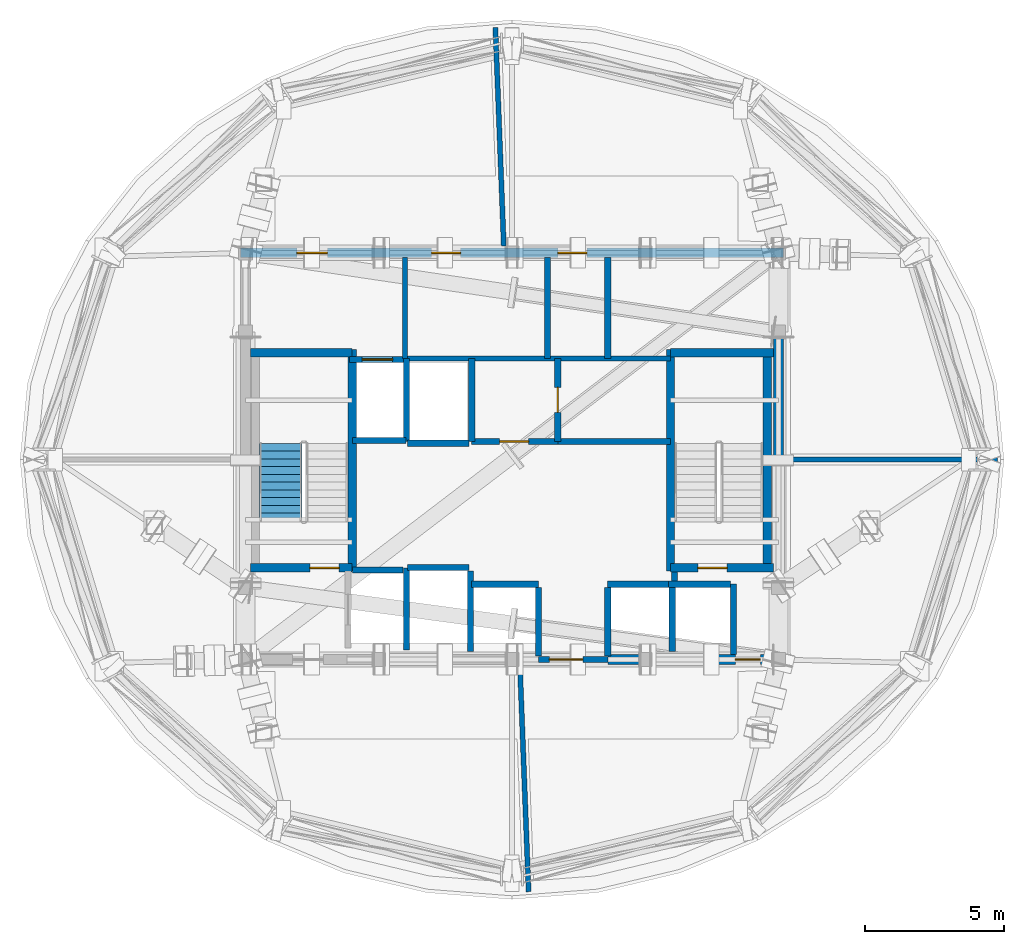
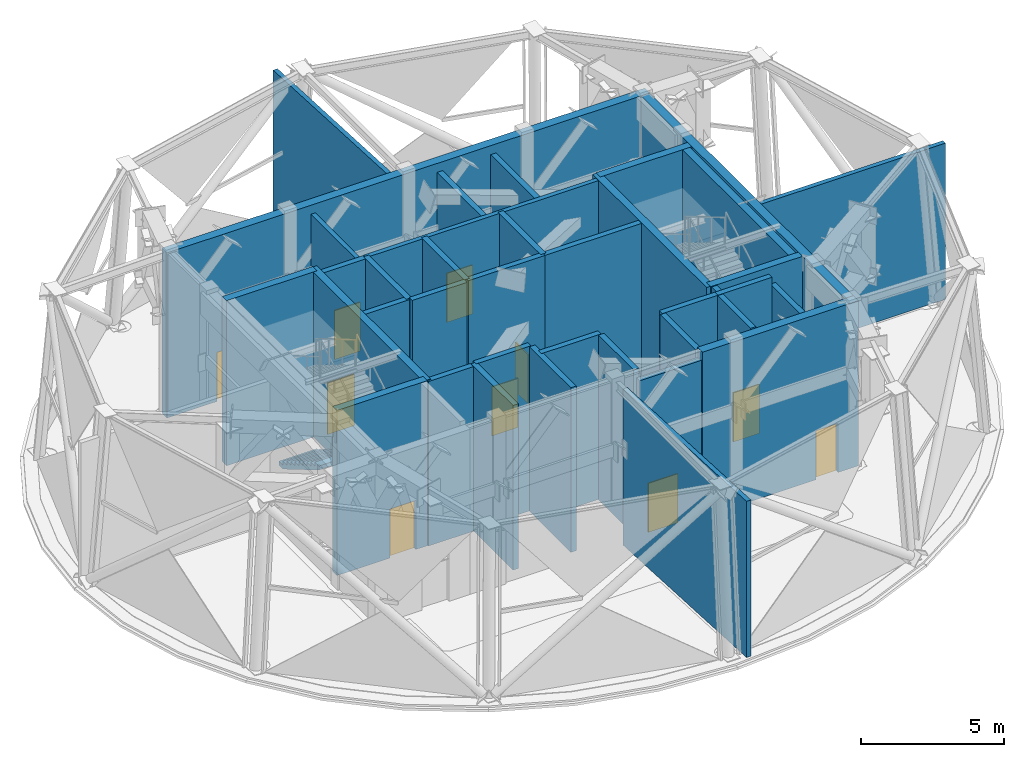
# One storey, part 8 of 12: 38 walls, 10 doors, 1 stair flight, 10 openings, 1 element without a shape of its own.
"""IFC4 building model written with IfcOpenShell, lengths in metres."""

import ifcopenshell
import ifcopenshell.guid

model = None  # the IFC model being written
_history = None  # IfcOwnerHistory: only IFC2X3 demands one
_inside = {}  # id of a spatial element -> (the spatial element, [elements in it])
_under = {}  # id of a project, library or spatial element -> (it, [spatial elements below it])
_declared = {}  # id of a project -> (the project, [libraries it declares])
_typed = {}  # id of a type object -> (the type object, [elements of that type])
_made_of = {}  # id of a material, layer set ... -> (it, [elements and type objects made of it])


def new_model(schema):
    """Start an empty IFC model of exactly this schema.

    Asked for "IFC4X3", IfcOpenShell would pick the latest addendum, in which some entities
    have other attributes; the version numbers below select the first issue.
    IFC2X3 requires an IfcOwnerHistory on every rooted entity: one is made here for all.
    """
    global model, _history
    if schema == "IFC4X3":
        model = ifcopenshell.file(schema_version=(4, 3, 0, 0))
    else:
        model = ifcopenshell.file(schema=schema)
    _inside.clear()
    _under.clear()
    _declared.clear()
    _typed.clear()
    _made_of.clear()
    _history = None
    if model.schema == "IFC2X3":
        org = make("IfcOrganization", Name="unknown")
        user = make(
            "IfcPersonAndOrganization",
            ThePerson=make("IfcPerson", FamilyName="unknown"),
            TheOrganization=org,
        )
        app = make(
            "IfcApplication",
            ApplicationDeveloper=org,
            Version="unknown",
            ApplicationFullName="unknown",
            ApplicationIdentifier="unknown",
        )
        _history = make(
            "IfcOwnerHistory",
            OwningUser=user,
            OwningApplication=app,
            ChangeAction="ADDED",
            CreationDate=0,
        )
    return model


def make(cls, **values):
    """One entity of the class cls with the attributes given. An attribute that is None is left unset."""
    return model.create_entity(
        cls, **{name: value for name, value in values.items() if value is not None}
    )


def rooted(cls, **values):
    """An entity with a GlobalId (a new one), such as an element, a storey or a relation."""
    return make(cls, GlobalId=ifcopenshell.guid.new(), OwnerHistory=_history, **values)


def si_unit(unit_type, name, prefix=None):
    """IfcSIUnit, for example si_unit("LENGTHUNIT", "METRE", prefix="MILLI")."""
    return make("IfcSIUnit", UnitType=unit_type, Prefix=prefix, Name=name)


def assignment(units):
    """IfcUnitAssignment: the units of a project."""
    return None if units is None else make("IfcUnitAssignment", Units=units)


def point(xyz):
    """IfcCartesianPoint."""
    return None if xyz is None else make("IfcCartesianPoint", Coordinates=xyz)


def direction(xyz):
    """IfcDirection."""
    return None if xyz is None else make("IfcDirection", DirectionRatios=xyz)


def frame(location, z_axis=None, x_axis=None):
    """IfcAxis2Placement3D, a coordinate frame: its origin and axes. An axis left out is left unset."""
    return make(
        "IfcAxis2Placement3D",
        Location=point(location),
        Axis=direction(z_axis),
        RefDirection=direction(x_axis),
    )


def frame_2d(location, x_axis=None):
    """IfcAxis2Placement2D, a coordinate frame in the plane: its origin and x axis."""
    return make(
        "IfcAxis2Placement2D", Location=point(location), RefDirection=direction(x_axis)
    )


def origin():
    """The frame at (0, 0, 0) with its axes left unset."""
    return frame((0.0, 0.0, 0.0))


def place(relative_to, where):
    """IfcLocalPlacement: puts the frame where relative to a parent placement (None: the world)."""
    return make(
        "IfcLocalPlacement", PlacementRelTo=relative_to, RelativePlacement=where
    )


def context(
    kind, dimensions, precision=None, world=None, true_north=None, identifier=None
):
    """IfcGeometricRepresentationContext, for example the 3D "Model" context."""
    return make(
        "IfcGeometricRepresentationContext",
        ContextIdentifier=identifier,
        ContextType=kind,
        CoordinateSpaceDimension=dimensions,
        Precision=precision,
        WorldCoordinateSystem=world,
        TrueNorth=true_north,
    )


def subcontext(parent, identifier, kind, view, scale=None):
    """IfcGeometricRepresentationSubContext, for example "Body" below "Model"."""
    return make(
        "IfcGeometricRepresentationSubContext",
        ContextIdentifier=identifier,
        ContextType=kind,
        ParentContext=parent,
        TargetScale=scale,
        TargetView=view,
    )


def project(units=None, contexts=None):
    """IfcProject with its units and contexts."""
    return rooted(
        "IfcProject",
        Name="project",
        RepresentationContexts=contexts,
        UnitsInContext=assignment(units),
    )


def spatial(cls, under=None, at=None, **own):
    """A site, building, storey or space (cls), placed at a placement, below another one or the project."""
    s = rooted(cls, ObjectPlacement=at, **own)
    if under is not None:
        _under.setdefault(under.id(), (under, []))[1].append(s)
    return s


def polyline(points):
    """IfcPolyline through the points."""
    return make("IfcPolyline", Points=[point(p) for p in points])


def profile(cls, at=None, kind="AREA", **sizes):
    """A parametric profile (cls). Its sizes go by their IFC names, for example OverallWidth=200.0."""
    return make(cls, ProfileType=kind, Position=at, **sizes)


def rectangle(**sizes):
    """IfcRectangleProfileDef."""
    return profile("IfcRectangleProfileDef", **sizes)


def outline(outer, holes=None, kind="AREA"):
    """IfcArbitraryClosedProfileDef: a profile drawn as a closed curve; with holes, ...WithVoids."""
    if holes is None:
        return make("IfcArbitraryClosedProfileDef", ProfileType=kind, OuterCurve=outer)
    return make(
        "IfcArbitraryProfileDefWithVoids",
        ProfileType=kind,
        OuterCurve=outer,
        InnerCurves=holes,
    )


def extrude(swept, where, along, depth):
    """IfcExtrudedAreaSolid: the profile swept, set in the frame where, extruded along a direction by depth."""
    return make(
        "IfcExtrudedAreaSolid",
        SweptArea=swept,
        Position=where,
        ExtrudedDirection=direction(along),
        Depth=depth,
    )


def shape(context_of_items, identifier, shape_type, items):
    """IfcShapeRepresentation: the items that make up one representation, for example the "Body"."""
    return make(
        "IfcShapeRepresentation",
        ContextOfItems=context_of_items,
        RepresentationIdentifier=identifier,
        RepresentationType=shape_type,
        Items=items,
    )


def material(Name=None, Category=None):
    """IfcMaterial."""
    return make("IfcMaterial", Name=Name, Category=Category)


def layer(
    of_material, thickness, ventilated=None, Name=None, Category=None, Priority=None
):
    """IfcMaterialLayer: one layer of a wall or slab, of a material (None: an air gap)."""
    return make(
        "IfcMaterialLayer",
        Material=of_material,
        LayerThickness=thickness,
        IsVentilated=ventilated,
        Name=Name,
        Category=Category,
        Priority=Priority,
    )


def layer_set(layers, Name=None):
    """IfcMaterialLayerSet."""
    return make("IfcMaterialLayerSet", MaterialLayers=layers, LayerSetName=Name)


def made_of(thing, what):
    """Note that an element or type object is made of a material, layer set ...; save() writes the relation."""
    if what is not None:
        _made_of.setdefault(what.id(), (what, []))[1].append(thing)
    return thing


def type_object(cls, material=None, **own):
    """A type object (cls), such as IfcWallType, which elements share."""
    return made_of(rooted(cls, **own), material)


def element(
    cls,
    number,
    at=None,
    inside=None,
    cuts=None,
    type_object=None,
    material=None,
    context=None,
    identifier="Body",
    shape_type=None,
    held_by="IfcProductDefinitionShape",
    body=None,
    shapes=None,
    **own,
):
    """One element of the class cls, such as IfcWall. Its Tag is "e" and its number.

    at: its placement. inside: the storey or other place that contains it. cuts: it is an
    opening in that element (IfcRelVoidsElement). A single representation is given by context,
    identifier, shape_type and body (its items); several are given by shapes. held_by: the class
    of the entity that holds the representations. save() writes the other relations.
    """
    e = rooted(cls, Tag="e%d" % number, ObjectPlacement=at, **own)
    if body is not None:
        shapes = [shape(context, identifier, shape_type, body)]
    if shapes is not None:
        e.Representation = make(held_by, Representations=shapes)
    if inside is not None:
        _inside.setdefault(inside.id(), (inside, []))[1].append(e)
    if cuts is not None:
        rooted(
            "IfcRelVoidsElement", RelatingBuildingElement=cuts, RelatedOpeningElement=e
        )
    if type_object is not None:
        _typed.setdefault(type_object.id(), (type_object, []))[1].append(e)
    return made_of(e, material)


def fill(opening, filler):
    """IfcRelFillsElement: the door or window that sits in an opening."""
    return rooted(
        "IfcRelFillsElement",
        RelatingOpeningElement=opening,
        RelatedBuildingElement=filler,
    )


def aggregate(whole, parts):
    """IfcRelAggregates: a whole, such as a stair, and the parts it consists of."""
    return rooted("IfcRelAggregates", RelatingObject=whole, RelatedObjects=parts)


def save(model, path):
    """Write the relations noted so far, then the file.

    IfcRelAggregates (storeys below a building ...), IfcRelContainedInSpatialStructure (elements
    in a storey), IfcRelDefinesByType, IfcRelAssociatesMaterial and IfcRelDeclares: one each for
    every whole, place, type object, material and project.
    """
    for whole, parts in _under.values():
        aggregate(whole, parts)
    for where, things in _inside.values():
        rooted(
            "IfcRelContainedInSpatialStructure",
            RelatedElements=things,
            RelatingStructure=where,
        )
    for kind, things in _typed.values():
        rooted("IfcRelDefinesByType", RelatedObjects=things, RelatingType=kind)
    for what, things in _made_of.values():
        rooted("IfcRelAssociatesMaterial", RelatedObjects=things, RelatingMaterial=what)
    for by, libraries in _declared.values():
        rooted("IfcRelDeclares", RelatingContext=by, RelatedDefinitions=libraries)
    model.write(path)


model = new_model("IFC4")

# Units and contexts
model_context = context("Model", 3, precision=1e-05, world=origin(), true_north=direction((0.0, 1.0)))
body_context = subcontext(model_context, "Body", "Model", "MODEL_VIEW")
ifc_project = project(units=[si_unit("LENGTHUNIT", "METRE"), si_unit("AREAUNIT", "SQUARE_METRE"), si_unit("VOLUMEUNIT", "CUBIC_METRE"), si_unit("PLANEANGLEUNIT", "RADIAN"), si_unit("MASSUNIT", "GRAM", prefix="KILO")], contexts=[model_context])

# Site, building, storey
site_placement = place(None, origin())
site = spatial("IfcSite", under=ifc_project, at=site_placement, CompositionType="ELEMENT")
building_placement = place(site_placement, origin())
building = spatial("IfcBuilding", under=site, at=building_placement, Name="Vantalir Tower", CompositionType="ELEMENT")
storey_placement = place(building_placement, frame((0.0, 0.0, 304.5)))
storey = spatial("IfcBuildingStorey", under=building, at=storey_placement, Name="L76", CompositionType="ELEMENT", Elevation=304.5)

# Wall, opening, door
ifc_material_1 = material(Name="Concrete C50/60", Category="concrete")
ifc_layer_1 = layer(ifc_material_1, 0.35009765625)
ifc_layer_set_1 = layer_set([ifc_layer_1], Name="Concrete C50/60")
wall_type_1 = type_object("IfcWallType", Name="WL-CORE-350", PredefinedType="SHEAR", material=ifc_layer_set_1)
wall_1_placement = place(storey_placement, frame((34.949951171875, 17.800048828125, 0.0), z_axis=(0.0, 0.0, 1.0), x_axis=(1.0, 0.0, 0.0)))
wall_1 = element("IfcWall", 1, at=wall_1_placement, inside=storey, type_object=wall_type_1, Name="L76 Core Shear Wall South-East", PredefinedType="SHEAR", context=body_context, shape_type="SweptSolid", body=[
    extrude(rectangle(XDim=6.324951171875, YDim=0.35009765625, at=frame_2d((3.16259765625, 0.0))), origin(), (0.0, 0.0, 1.0), 7.070068359375),
])
opening_1_placement = place(wall_1_placement, frame((4.60009765625, 0.0, 0.0)))
opening_1 = element("IfcOpeningElement", 2, at=opening_1_placement, cuts=wall_1, Name="Opening D-CR", PredefinedType="OPENING", context=body_context, shape_type="SweptSolid", body=[
    extrude(rectangle(XDim=0.89990234375, YDim=2.10009765625, at=frame_2d((0.449951171875, 1.050048828125))), frame((0.0, 0.18505859375, 0.0), z_axis=(0.0, -1.0, 0.0), x_axis=(1.0, 0.0, 0.0)), (0.0, 0.0, 1.0), 0.3701171875),
])
ifc_material_2 = material(Name="Fire-rated steel core service door", Category="steel")
door_type_1 = type_object("IfcDoorType", Name="DR-CORE-SERV-900", OperationType="NOTDEFINED", PredefinedType="DOOR", material=ifc_material_2)
door_1_placement = place(opening_1_placement, origin())
door_1 = element("IfcDoor", 3, at=door_1_placement, inside=storey, type_object=door_type_1, Name="L76 Stair ST2 Exit Lobby Door", OperationType="SINGLE_SWING_LEFT", OverallHeight=2.10009765625, OverallWidth=0.89990234375, PredefinedType="DOOR", context=body_context, shape_type="SweptSolid", body=[
    extrude(rectangle(XDim=0.89990234375, YDim=2.10009765625, at=frame_2d((0.449951171875, 1.050048828125))), frame((0.0, 0.02490234375, 0.0), z_axis=(0.0, -1.0, 0.0), x_axis=(1.0, 0.0, 0.0)), (0.0, 0.0, 1.0), 0.050048828125),
])
fill(opening_1, door_1)

# Wall, openings, doors
wall_2_placement = place(storey_placement, frame((21.72509765625, 32.449951171875, 0.0), z_axis=(0.0, 0.0, 1.0), x_axis=(1.0, 0.0, 0.0)))
wall_2 = element("IfcWall", 4, at=wall_2_placement, inside=storey, type_object=wall_type_1, Name="L76 Core Shear Wall North", PredefinedType="SHEAR", context=body_context, shape_type="SweptSolid", body=[
    extrude(rectangle(XDim=19.5498046875, YDim=0.35009765625, at=frame_2d((9.77490234375, 0.0))), origin(), (0.0, 0.0, 1.0), 7.070068359375),
])
opening_2_placement = place(wall_2_placement, frame((2.02490234375, 0.0, 0.0)))
opening_2 = element("IfcOpeningElement", 5, at=opening_2_placement, cuts=wall_2, Name="Opening D-FFL", PredefinedType="OPENING", context=body_context, shape_type="SweptSolid", body=[
    extrude(rectangle(XDim=1.10009765625, YDim=2.10009765625, at=frame_2d((0.550048828125, 1.050048828125))), frame((0.0, 0.18505859375, 0.0), z_axis=(0.0, -1.0, 0.0), x_axis=(1.0, 0.0, 0.0)), (0.0, 0.0, 1.0), 0.3701171875),
])
opening_3_placement = place(wall_2_placement, frame((11.425048828125, 0.0, 0.0)))
opening_3 = element("IfcOpeningElement", 6, at=opening_3_placement, cuts=wall_2, Name="Opening D-ST", PredefinedType="OPENING", context=body_context, shape_type="SweptSolid", body=[
    extrude(rectangle(XDim=1.050048828125, YDim=2.10009765625, at=frame_2d((0.52490234375, 1.050048828125))), frame((0.0, 0.18505859375, 0.0), z_axis=(0.0, -1.0, 0.0), x_axis=(1.0, 0.0, 0.0)), (0.0, 0.0, 1.0), 0.3701171875),
])
opening_4_placement = place(wall_2_placement, frame((6.875, 0.0, 0.0)))
opening_4 = element("IfcOpeningElement", 7, at=opening_4_placement, cuts=wall_2, Name="Opening D-ST", PredefinedType="OPENING", context=body_context, shape_type="SweptSolid", body=[
    extrude(rectangle(XDim=1.050048828125, YDim=2.10009765625, at=frame_2d((0.52490234375, 1.050048828125))), frame((0.0, 0.18505859375, 0.0), z_axis=(0.0, -1.0, 0.0), x_axis=(1.0, 0.0, 0.0)), (0.0, 0.0, 1.0), 0.3701171875),
])
ifc_material_3 = material(Name="Fire-rated acoustic steel door", Category="steel")
door_type_2 = type_object("IfcDoorType", Name="DR-FIRE-LOBBY-1100", OperationType="NOTDEFINED", PredefinedType="DOOR", material=ifc_material_3)
door_2_placement = place(opening_2_placement, frame((1.10009765625, 0.0, 0.0), z_axis=(0.0, 0.0, 1.0), x_axis=(-1.0, 0.0, 0.0)))
door_2 = element("IfcDoor", 8, at=door_2_placement, inside=storey, type_object=door_type_2, Name="L76 Firefighting Lobby East Access Door", OperationType="SINGLE_SWING_RIGHT", OverallHeight=2.10009765625, OverallWidth=1.10009765625, PredefinedType="DOOR", context=body_context, shape_type="SweptSolid", body=[
    extrude(rectangle(XDim=1.10009765625, YDim=2.10009765625, at=frame_2d((0.550048828125, 1.050048828125))), frame((0.0, 0.02490234375, 0.0), z_axis=(0.0, -1.0, 0.0), x_axis=(1.0, 0.0, 0.0)), (0.0, 0.0, 1.0), 0.050048828125),
])
fill(opening_2, door_2)
ifc_material_4 = material(Name="Fire-rated steel door leaf", Category="steel")
door_type_3 = type_object("IfcDoorType", Name="DR-FIRE-STAIR-1050", OperationType="NOTDEFINED", PredefinedType="DOOR", material=ifc_material_4)
door_3_placement = place(opening_3_placement, frame((1.050048828125, 0.0, 0.0), z_axis=(0.0, 0.0, 1.0), x_axis=(-1.0, 0.0, 0.0)))
door_3 = element("IfcDoor", 9, at=door_3_placement, inside=storey, type_object=door_type_3, Name="L76 North Crown Passage Link Door", OperationType="SINGLE_SWING_RIGHT", OverallHeight=2.10009765625, OverallWidth=1.050048828125, PredefinedType="DOOR", context=body_context, shape_type="SweptSolid", body=[
    extrude(rectangle(XDim=1.050048828125, YDim=2.10009765625, at=frame_2d((0.52490234375, 1.050048828125))), frame((0.0, 0.02490234375, 0.0), z_axis=(0.0, -1.0, 0.0), x_axis=(1.0, 0.0, 0.0)), (0.0, 0.0, 1.0), 0.050048828125),
])
fill(opening_3, door_3)
door_4_placement = place(opening_4_placement, frame((1.050048828125, 0.0, 0.0), z_axis=(0.0, 0.0, 1.0), x_axis=(-1.0, 0.0, 0.0)))
door_4 = element("IfcDoor", 10, at=door_4_placement, inside=storey, type_object=door_type_3, Name="L76 Crown Telemetry Plant Door", OperationType="SINGLE_SWING_LEFT", OverallHeight=2.10009765625, OverallWidth=1.050048828125, PredefinedType="DOOR", context=body_context, shape_type="SweptSolid", body=[
    extrude(rectangle(XDim=1.050048828125, YDim=2.10009765625, at=frame_2d((0.52490234375, 1.050048828125))), frame((0.0, 0.02490234375, 0.0), z_axis=(0.0, -1.0, 0.0), x_axis=(1.0, 0.0, 0.0)), (0.0, 0.0, 1.0), 0.050048828125),
])
fill(opening_4, door_4)

# Walls
wall_3_placement = place(storey_placement, frame((41.10009765625, 17.97509765625, 0.0), z_axis=(0.0, 0.0, 1.0), x_axis=(0.0, 1.0, 0.0)))
element("IfcWall", 11, at=wall_3_placement, inside=storey, type_object=wall_type_1, Name="L76 Core Shear Wall East", PredefinedType="SHEAR", context=body_context, shape_type="SweptSolid", body=[
    extrude(rectangle(XDim=14.2998046875, YDim=0.35009765625, at=frame_2d((7.14990234375, 0.0))), origin(), (0.0, 0.0, 1.0), 7.070068359375),
])
ifc_material_5 = material(Name="Concrete blockwork with fireboard lining", Category="masonry")
ifc_layer_2 = layer(ifc_material_5, 0.219970703125)
ifc_layer_set_2 = layer_set([ifc_layer_2], Name="Concrete blockwork with fireboard lining")
wall_type_2 = type_object("IfcWallType", Name="WL-FFL-220", PredefinedType="PARTITIONING", material=ifc_layer_set_2)
wall_4_placement = place(storey_placement, frame((30.0, 18.080078125, 0.0), z_axis=(0.0, 0.0, 1.0), x_axis=(0.0, 1.0, 0.0)))
element("IfcWall", 12, at=wall_4_placement, inside=storey, type_object=wall_type_2, Name="L76 Service Lift SV1 East Shaft Wall", PredefinedType="PARTITIONING", context=body_context, shape_type="SweptSolid", body=[
    extrude(rectangle(XDim=2.89990234375, YDim=0.219970703125, at=frame_2d((1.449951171875, 0.0))), origin(), (0.0, 0.0, 1.0), 7.044921875),
])
for number, where, z_axis, x_axis, name in (
    (13, (32.449951171875, 17.919921875, 0.0), (0.0, 0.0, 1.0), (0.0, 1.0, 0.0), "L76 Shuttle Lift PL-X1 East Shaft Cheek"),
    (14, (34.949951171875, 17.919921875, 0.0), (0.0, 0.0, 1.0), (0.0, 1.0, 0.0), "L76 Shuttle Lift PL-X3 West Shaft Cheek"),
):
    element("IfcWall", number, at=place(storey_placement, frame(where, z_axis=z_axis, x_axis=x_axis)), inside=storey, type_object=wall_type_2, Name=name, PredefinedType="PARTITIONING", context=body_context, shape_type="SweptSolid", body=[
        extrude(rectangle(XDim=2.469970703125, YDim=0.219970703125, at=frame_2d((1.23486328125, 0.0))), origin(), (0.0, 0.0, 1.0), 7.044921875),
    ])
wall_5_placement = place(storey_placement, frame((37.27490234375, 18.080078125, 0.0), z_axis=(0.0, 0.0, 1.0), x_axis=(0.0, 1.0, 0.0)))
element("IfcWall", 15, at=wall_5_placement, inside=storey, type_object=wall_type_2, Name="L76 Shuttle Lift PL-X2/X3 Shaft Divider", PredefinedType="PARTITIONING", context=body_context, shape_type="SweptSolid", body=[
    extrude(rectangle(XDim=2.309814453125, YDim=0.219970703125, at=frame_2d((1.15478515625, 0.0))), origin(), (0.0, 0.0, 1.0), 7.044921875),
])
wall_6_placement = place(storey_placement, frame((25.75, 21.02001953125, 0.0), z_axis=(0.0, 0.0, 1.0), x_axis=(1.0, 0.0, 0.0)))
element("IfcWall", 16, at=wall_6_placement, inside=storey, type_object=wall_type_2, Name="L76 Fire Lift FL1 Crown North Shaft Wall", PredefinedType="PARTITIONING", context=body_context, shape_type="SweptSolid", body=[
    extrude(rectangle(XDim=1.830078125, YDim=0.219970703125, at=frame_2d((0.9150390625, 0.0))), origin(), (0.0, 0.0, 1.0), 7.044921875),
])
wall_7_placement = place(storey_placement, frame((25.75, 25.68994140625, 0.0), z_axis=(0.0, 0.0, 1.0), x_axis=(1.0, 0.0, 0.0)))
element("IfcWall", 17, at=wall_7_placement, inside=storey, type_object=wall_type_2, Name="L76 Fire Lift FL2 Crown South Shaft Wall", PredefinedType="PARTITIONING", context=body_context, shape_type="SweptSolid", body=[
    extrude(rectangle(XDim=1.929931640625, YDim=0.219970703125, at=frame_2d((0.96484375, 0.0))), origin(), (0.0, 0.0, 1.0), 7.044921875),
])

# Wall, opening, door
wall_8_placement = place(storey_placement, frame((32.449951171875, 17.800048828125, 0.0), z_axis=(0.0, 0.0, 1.0), x_axis=(1.0, 0.0, 0.0)))
wall_8 = element("IfcWall", 18, at=wall_8_placement, inside=storey, type_object=wall_type_2, Name="L76 Passenger Lift Lobby South Wall", PredefinedType="PARTITIONING", context=body_context, shape_type="SweptSolid", body=[
    extrude(rectangle(XDim=2.5, YDim=0.219970703125, at=frame_2d((1.25, 0.0))), origin(), (0.0, 0.0, 1.0), 6.68701171875),
])
opening_5_placement = place(wall_8_placement, frame((0.39990234375, 0.0, 0.0)))
opening_5 = element("IfcOpeningElement", 19, at=opening_5_placement, cuts=wall_8, Name="Opening D-STE", PredefinedType="OPENING", context=body_context, shape_type="SweptSolid", body=[
    extrude(rectangle(XDim=1.199951171875, YDim=2.10009765625, at=frame_2d((0.60009765625, 1.050048828125))), frame((0.0, 0.119873046875, 0.0), z_axis=(0.0, -1.0, 0.0), x_axis=(1.0, 0.0, 0.0)), (0.0, 0.0, 1.0), 0.239990234375),
])
ifc_material_6 = material(Name="Solid-core teak veneer suite entrance door", Category="wood")
door_type_4 = type_object("IfcDoorType", Name="DR-SUITE-ENTRY-1200", OperationType="NOTDEFINED", PredefinedType="DOOR", material=ifc_material_6)
door_5_placement = place(opening_5_placement, origin())
door_5 = element("IfcDoor", 20, at=door_5_placement, inside=storey, type_object=door_type_4, Name="L76 Passenger Lift Lobby Concourse Door", OperationType="SINGLE_SWING_LEFT", OverallHeight=2.10009765625, OverallWidth=1.199951171875, PredefinedType="DOOR", context=body_context, shape_type="SweptSolid", body=[
    extrude(rectangle(XDim=1.199951171875, YDim=2.10009765625, at=frame_2d((0.60009765625, 1.050048828125))), frame((0.0, 0.02490234375, 0.0), z_axis=(0.0, -1.0, 0.0), x_axis=(1.0, 0.0, 0.0)), (0.0, 0.0, 1.0), 0.050048828125),
])
fill(opening_5, door_5)

# Walls
wall_9_placement = place(storey_placement, frame((39.47998046875, 17.97509765625, 0.0), z_axis=(0.0, 0.0, 1.0), x_axis=(0.0, 1.0, 0.0)))
element("IfcWall", 21, at=wall_9_placement, inside=storey, type_object=wall_type_2, Name="L76 ST2 Exit Lobby Throat W", PredefinedType="PARTITIONING", context=body_context, shape_type="SweptSolid", body=[
    extrude(rectangle(XDim=2.544921875, YDim=0.219970703125, at=frame_2d((1.2724609375, 0.0))), origin(), (0.0, 0.0, 1.0), 6.68701171875),
])
wall_10_placement = place(storey_placement, frame((37.35009765625, 20.6201171875, 0.0), z_axis=(0.0, 0.0, 1.0), x_axis=(0.0, 1.0, 0.0)))
element("IfcWall", 22, at=wall_10_placement, inside=storey, type_object=wall_type_2, Name="L76 ST2 Exit Lobby Upper W", PredefinedType="PARTITIONING", context=body_context, shape_type="SweptSolid", body=[
    extrude(rectangle(XDim=0.324951171875, YDim=0.219970703125, at=frame_2d((0.16259765625, 0.0))), origin(), (0.0, 0.0, 1.0), 7.050048828125),
])

# Wall, opening, door
wall_11_placement = place(storey_placement, frame((25.639892578125, 28.610107421875, 0.0), z_axis=(0.0, 0.0, 1.0), x_axis=(1.0, 0.0, 0.0)))
wall_11 = element("IfcWall", 23, at=wall_11_placement, inside=storey, type_object=wall_type_2, Name="L76 Lift FL2 Shaft Front Wall", PredefinedType="PARTITIONING", context=body_context, shape_type="SweptSolid", body=[
    extrude(rectangle(XDim=2.02001953125, YDim=0.219970703125, at=frame_2d((1.010009765625, 0.0))), origin(), (0.0, 0.0, 1.0), 7.050048828125),
])
opening_6_placement = place(wall_11_placement, frame((0.4599609375, 0.0, 0.0)))
opening_6 = element("IfcOpeningElement", 24, at=opening_6_placement, cuts=wall_11, Name="Opening LD-FL2", PredefinedType="OPENING", context=body_context, shape_type="SweptSolid", body=[
    extrude(rectangle(XDim=1.10009765625, YDim=2.199951171875, at=frame_2d((0.550048828125, 1.10009765625))), frame((0.0, 0.119873046875, 0.0), z_axis=(0.0, -1.0, 0.0), x_axis=(1.0, 0.0, 0.0)), (0.0, 0.0, 1.0), 0.239990234375),
])
ifc_material_7 = material(Name="Brushed stainless-steel sliding lift landing door", Category="steel")
door_type_5 = type_object("IfcDoorType", Name="DR-LIFT-LANDING-1100", OperationType="DOUBLE_DOOR_SLIDING", PredefinedType="DOOR", material=ifc_material_7)
door_6_placement = place(opening_6_placement, origin())
door_6 = element("IfcDoor", 25, at=door_6_placement, inside=storey, type_object=door_type_5, Name="L76 Lift Landing Door FL2", OperationType="DOUBLE_DOOR_SLIDING", OverallHeight=2.199951171875, OverallWidth=1.10009765625, PredefinedType="DOOR", context=body_context, shape_type="SweptSolid", body=[
    extrude(rectangle(XDim=1.10009765625, YDim=2.199951171875, at=frame_2d((0.550048828125, 1.10009765625))), frame((0.0, 0.02490234375, 0.0), z_axis=(0.0, -1.0, 0.0), x_axis=(1.0, 0.0, 0.0)), (0.0, 0.0, 1.0), 0.050048828125),
])
fill(opening_6, door_6)

# Walls
for number, where, z_axis, x_axis, name in (
    (26, (27.739990234375, 21.110107421875, 0.0), (0.0, 0.0, 1.0), (1.0, 0.0, 0.0), "L76 Lift SV1 Shaft Front Wall"),
    (27, (27.739990234375, 25.590087890625, 0.0), (0.0, 0.0, 1.0), (1.0, 0.0, 0.0), "L76 Lift SV2 Shaft Front Wall"),
):
    element("IfcWall", number, at=place(storey_placement, frame(where, z_axis=z_axis, x_axis=x_axis)), inside=storey, type_object=wall_type_2, Name=name, PredefinedType="PARTITIONING", context=body_context, shape_type="SweptSolid", body=[
        extrude(rectangle(XDim=2.219970703125, YDim=0.219970703125, at=frame_2d((1.10986328125, 0.0))), origin(), (0.0, 0.0, 1.0), 7.050048828125),
    ])
wall_12_placement = place(storey_placement, frame((30.0400390625, 20.510009765625, 0.0), z_axis=(0.0, 0.0, 1.0), x_axis=(1.0, 0.0, 0.0)))
element("IfcWall", 28, at=wall_12_placement, inside=storey, type_object=wall_type_2, Name="L76 Lift PL-X1 Shaft Front Wall", PredefinedType="PARTITIONING", context=body_context, shape_type="SweptSolid", body=[
    extrude(rectangle(XDim=2.419921875, YDim=0.219970703125, at=frame_2d((1.2099609375, 0.0))), origin(), (0.0, 0.0, 1.0), 7.050048828125),
])
for number, where, z_axis, x_axis, name in (
    (29, (37.139892578125, 20.510009765625, 0.0), (0.0, 0.0, 1.0), (1.0, 0.0, 0.0), "L76 Lift PL-X2 Shaft Rear Wall"),
    (30, (34.93994140625, 20.510009765625, 0.0), (0.0, 0.0, 1.0), (1.0, 0.0, 0.0), "L76 Lift PL-X3 Shaft Front Wall"),
):
    element("IfcWall", number, at=place(storey_placement, frame(where, z_axis=z_axis, x_axis=x_axis)), inside=storey, type_object=wall_type_2, Name=name, PredefinedType="PARTITIONING", context=body_context, shape_type="SweptSolid", body=[
        extrude(rectangle(XDim=2.239990234375, YDim=0.219970703125, at=frame_2d((1.1201171875, 0.0))), origin(), (0.0, 0.0, 1.0), 7.050048828125),
    ])
wall_13_placement = place(storey_placement, frame((27.699951171875, 18.14990234375, 0.0), z_axis=(0.0, 0.0, 1.0), x_axis=(0.0, 1.0, 0.0)))
element("IfcWall", 31, at=wall_13_placement, inside=storey, type_object=wall_type_2, Name="L76 Fire Lift FL1 Dividing Wall", PredefinedType="PARTITIONING", context=body_context, shape_type="SweptSolid", body=[
    extrude(rectangle(XDim=2.9501953125, YDim=0.219970703125, at=frame_2d((1.47509765625, 0.0))), origin(), (0.0, 0.0, 1.0), 7.050048828125),
])
wall_14_placement = place(storey_placement, frame((27.699951171875, 25.64990234375, 0.0), z_axis=(0.0, 0.0, 1.0), x_axis=(0.0, 1.0, 0.0)))
element("IfcWall", 32, at=wall_14_placement, inside=storey, type_object=wall_type_2, Name="L76 Fire Lift FL2 Dividing Wall", PredefinedType="PARTITIONING", context=body_context, shape_type="SweptSolid", body=[
    extrude(rectangle(XDim=3.0, YDim=0.219970703125, at=frame_2d((1.5, 0.0))), origin(), (0.0, 0.0, 1.0), 7.050048828125),
])
wall_15_placement = place(storey_placement, frame((32.780029296875, 28.64990234375, 0.0), z_axis=(0.0, 0.0, 1.0), x_axis=(0.0, 1.0, 0.0)))
element("IfcWall", 33, at=wall_15_placement, inside=storey, type_object=wall_type_2, Name="L76 Core Plant Link West Wall", PredefinedType="PARTITIONING", context=body_context, shape_type="SweptSolid", body=[
    extrude(rectangle(XDim=3.625, YDim=0.219970703125, at=frame_2d((1.8125, 0.0))), origin(), (0.0, 0.0, 1.0), 6.68701171875),
])
wall_16_placement = place(storey_placement, frame((30.050048828125, 25.64990234375, 0.0), z_axis=(0.0, 0.0, 1.0), x_axis=(0.0, 1.0, 0.0)))
element("IfcWall", 34, at=wall_16_placement, inside=storey, type_object=wall_type_2, Name="L76 Core Plant Lower West Wall", PredefinedType="PARTITIONING", context=body_context, shape_type="SweptSolid", body=[
    extrude(rectangle(XDim=3.0, YDim=0.219970703125, at=frame_2d((1.5, 0.0))), origin(), (0.0, 0.0, 1.0), 7.050048828125),
])

# Wall, opening, door
wall_17_placement = place(storey_placement, frame((30.050048828125, 25.64990234375, 0.0), z_axis=(0.0, 0.0, 1.0), x_axis=(1.0, 0.0, 0.0)))
wall_17 = element("IfcWall", 35, at=wall_17_placement, inside=storey, type_object=wall_type_2, Name="L76 Core Plant South Lobby Wall", PredefinedType="PARTITIONING", context=body_context, shape_type="SweptSolid", body=[
    extrude(rectangle(XDim=3.099853515625, YDim=0.219970703125, at=frame_2d((1.5498046875, 0.0))), origin(), (0.0, 0.0, 1.0), 7.050048828125),
])
opening_7_placement = place(wall_17_placement, frame((1.0, 0.0, 0.0)))
opening_7 = element("IfcOpeningElement", 36, at=opening_7_placement, cuts=wall_17, Name="Opening D-ST", PredefinedType="OPENING", context=body_context, shape_type="SweptSolid", body=[
    extrude(rectangle(XDim=1.050048828125, YDim=2.10009765625, at=frame_2d((0.52490234375, 1.050048828125))), frame((0.0, 0.119873046875, 0.0), z_axis=(0.0, -1.0, 0.0), x_axis=(1.0, 0.0, 0.0)), (0.0, 0.0, 1.0), 0.239990234375),
])
door_7_placement = place(opening_7_placement, frame((1.050048828125, 0.0, 0.0), z_axis=(0.0, 0.0, 1.0), x_axis=(-1.0, 0.0, 0.0)))
door_7 = element("IfcDoor", 37, at=door_7_placement, inside=storey, type_object=door_type_3, Name="L76 Core Plant Passage Lobby Door", OperationType="SINGLE_SWING_LEFT", OverallHeight=2.10009765625, OverallWidth=1.050048828125, PredefinedType="DOOR", context=body_context, shape_type="SweptSolid", body=[
    extrude(rectangle(XDim=1.050048828125, YDim=2.10009765625, at=frame_2d((0.52490234375, 1.050048828125))), frame((0.0, 0.02490234375, 0.0), z_axis=(0.0, -1.0, 0.0), x_axis=(1.0, 0.0, 0.0)), (0.0, 0.0, 1.0), 0.050048828125),
])
fill(opening_7, door_7)

wall_18_placement = place(storey_placement, frame((33.14990234375, 25.64990234375, 0.0), z_axis=(0.0, 0.0, 1.0), x_axis=(0.0, 1.0, 0.0)))
wall_18 = element("IfcWall", 38, at=wall_18_placement, inside=storey, type_object=wall_type_2, Name="L76 Crown Emergency Switchroom West Wall", PredefinedType="PARTITIONING", context=body_context, shape_type="SweptSolid", body=[
    extrude(rectangle(XDim=3.0, YDim=0.219970703125, at=frame_2d((1.5, 0.0))), origin(), (0.0, 0.0, 1.0), 7.050048828125),
])
opening_8_placement = place(wall_18_placement, frame((1.050048828125, 0.0, 0.0)))
opening_8 = element("IfcOpeningElement", 39, at=opening_8_placement, cuts=wall_18, Name="Opening D-CR", PredefinedType="OPENING", context=body_context, shape_type="SweptSolid", body=[
    extrude(rectangle(XDim=0.89990234375, YDim=2.10009765625, at=frame_2d((0.449951171875, 1.050048828125))), frame((0.0, 0.119873046875, 0.0), z_axis=(0.0, -1.0, 0.0), x_axis=(1.0, 0.0, 0.0)), (0.0, 0.0, 1.0), 0.239990234375),
])
door_8_placement = place(opening_8_placement, frame((0.89990234375, 0.0, 0.0), z_axis=(0.0, 0.0, 1.0), x_axis=(-1.0, 0.0, 0.0)))
door_8 = element("IfcDoor", 40, at=door_8_placement, inside=storey, type_object=door_type_1, Name="L76 Crown Emergency Switchroom Door", OperationType="SINGLE_SWING_RIGHT", OverallHeight=2.10009765625, OverallWidth=0.89990234375, PredefinedType="DOOR", context=body_context, shape_type="SweptSolid", body=[
    extrude(rectangle(XDim=0.89990234375, YDim=2.10009765625, at=frame_2d((0.449951171875, 1.050048828125))), frame((0.0, 0.02490234375, 0.0), z_axis=(0.0, -1.0, 0.0), x_axis=(1.0, 0.0, 0.0)), (0.0, 0.0, 1.0), 0.050048828125),
])
fill(opening_8, door_8)

# Walls
wall_19_placement = place(storey_placement, frame((33.14990234375, 25.64990234375, 0.0), z_axis=(0.0, 0.0, 1.0), x_axis=(1.0, 0.0, 0.0)))
element("IfcWall", 41, at=wall_19_placement, inside=storey, type_object=wall_type_2, Name="L76 Crown Emergency Switchroom South Wall", PredefinedType="PARTITIONING", context=body_context, shape_type="SweptSolid", body=[
    extrude(rectangle(XDim=4.06005859375, YDim=0.219970703125, at=frame_2d((2.030029296875, 0.0))), origin(), (0.0, 0.0, 1.0), 7.050048828125),
])
wall_20_placement = place(storey_placement, frame((34.949951171875, 28.64990234375, 0.0), z_axis=(0.0, 0.0, 1.0), x_axis=(0.0, 1.0, 0.0)))
element("IfcWall", 42, at=wall_20_placement, inside=storey, type_object=wall_type_2, Name="L76 Core Plant Link East Wall", PredefinedType="PARTITIONING", context=body_context, shape_type="SweptSolid", body=[
    extrude(rectangle(XDim=3.625, YDim=0.219970703125, at=frame_2d((1.8125, 0.0))), origin(), (0.0, 0.0, 1.0), 6.68701171875),
])
ifc_material_8 = material(Name="Twin-stud acoustic fire-rated gypsum partition", Category="gypsum")
ifc_layer_3 = layer(ifc_material_8, 0.179931640625)
ifc_layer_set_3 = layer_set([ifc_layer_3], Name="Twin-stud acoustic fire-rated gypsum partition")
wall_type_3 = type_object("IfcWallType", Name="WL-GUEST-180", PredefinedType="PARTITIONING", material=ifc_layer_set_3)
wall_21_placement = place(storey_placement, frame((27.64990234375, 28.64990234375, 0.0), z_axis=(0.0, 0.0, 1.0), x_axis=(1.0, 0.0, 0.0)))
element("IfcWall", 43, at=wall_21_placement, inside=storey, type_object=wall_type_3, Name="L76 Crown Core North Plant South Wall", PredefinedType="PARTITIONING", context=body_context, shape_type="SweptSolid", body=[
    extrude(rectangle(XDim=9.56005859375, YDim=0.179931640625, at=frame_2d((4.780029296875, 0.0))), origin(), (0.0, 0.0, 1.0), 7.050048828125),
])
wall_22_placement = place(storey_placement, frame((27.64990234375, 28.64990234375, 0.0), z_axis=(0.0, 0.0, 1.0), x_axis=(0.0, 1.0, 0.0)))
element("IfcWall", 44, at=wall_22_placement, inside=storey, type_object=wall_type_3, Name="L76 Crown Core North Plant West Wall", PredefinedType="PARTITIONING", context=body_context, shape_type="SweptSolid", body=[
    extrude(rectangle(XDim=3.625, YDim=0.179931640625, at=frame_2d((1.8125, 0.0))), origin(), (0.0, 0.0, 1.0), 6.68701171875),
])
wall_23_placement = place(storey_placement, frame((41.35009765625, 25.0, 0.0), z_axis=(0.0, 0.0, 1.0), x_axis=(1.0, 0.0, 0.0)))
element("IfcWall", 45, at=wall_23_placement, inside=storey, type_object=wall_type_3, Name="L76 Radial Suite Partition 01", PredefinedType="PARTITIONING", context=body_context, shape_type="SweptSolid", body=[
    extrude(rectangle(XDim=7.64892578125, YDim=0.179931640625, at=frame_2d((3.824462890625, 0.0))), origin(), (0.0, 0.0, 1.0), 6.68701171875),
])
wall_24_placement = place(storey_placement, frame((31.2041015625, 32.699951171875, 0.0), z_axis=(0.0, 0.0, 1.0), x_axis=(-0.038360473145, 0.999263966177, 0.0)))
element("IfcWall", 46, at=wall_24_placement, inside=storey, type_object=wall_type_3, Name="L76 Radial Suite Partition 02", PredefinedType="PARTITIONING", context=body_context, shape_type="SweptSolid", body=[
    extrude(rectangle(XDim=7.872802734375, YDim=0.179931640625, at=frame_2d((3.9365234375, 0.0))), origin(), (0.0, 0.0, 1.0), 6.68701171875),
])
wall_25_placement = place(storey_placement, frame((31.785888671875, 17.550048828125, 0.0), z_axis=(0.0, 0.0, 1.0), x_axis=(0.03841119075, -0.999262017904, 0.0)))
element("IfcWall", 47, at=wall_25_placement, inside=storey, type_object=wall_type_3, Name="L76 Radial Suite Partition 04", PredefinedType="PARTITIONING", context=body_context, shape_type="SweptSolid", body=[
    extrude(rectangle(XDim=8.123046875, YDim=0.179931640625, at=frame_2d((4.0615234375, 0.0))), origin(), (0.0, 0.0, 1.0), 6.68701171875),
])

# Wall, opening, door
ifc_layer_4 = layer(ifc_material_1, 0.300048828125)
ifc_layer_set_4 = layer_set([ifc_layer_4], Name="Concrete C50/60")
wall_type_4 = type_object("IfcWallType", Name="WL-STAIR-300", PredefinedType="SHEAR", material=ifc_layer_set_4)
wall_26_placement = place(storey_placement, frame((22.074951171875, 21.10009765625, 0.0), z_axis=(0.0, 0.0, 1.0), x_axis=(1.0, 0.0, 0.0)))
wall_26 = element("IfcWall", 48, at=wall_26_placement, inside=storey, type_object=wall_type_4, Name="L76 Stair ST1 South Wall", PredefinedType="SHEAR", context=body_context, shape_type="SweptSolid", body=[
    extrude(rectangle(XDim=3.6650390625, YDim=0.300048828125, at=frame_2d((1.83251953125, 0.0))), origin(), (0.0, 0.0, 1.0), 7.070068359375),
])
opening_9_placement = place(wall_26_placement, frame((2.14501953125, 0.0, 0.0)))
opening_9 = element("IfcOpeningElement", 49, at=opening_9_placement, cuts=wall_26, Name="Opening D-ST", PredefinedType="OPENING", context=body_context, shape_type="SweptSolid", body=[
    extrude(rectangle(XDim=1.050048828125, YDim=2.10009765625, at=frame_2d((0.52490234375, 1.050048828125))), frame((0.0, 0.159912109375, 0.0), z_axis=(0.0, -1.0, 0.0), x_axis=(1.0, 0.0, 0.0)), (0.0, 0.0, 1.0), 0.320068359375),
])
door_9_placement = place(opening_9_placement, origin())
door_9 = element("IfcDoor", 50, at=door_9_placement, inside=storey, type_object=door_type_3, Name="L76 Exit Stair ST1 Fire Door", OperationType="SINGLE_SWING_LEFT", OverallHeight=2.10009765625, OverallWidth=1.050048828125, PredefinedType="DOOR", context=body_context, shape_type="SweptSolid", body=[
    extrude(rectangle(XDim=1.050048828125, YDim=2.10009765625, at=frame_2d((0.52490234375, 1.050048828125))), frame((0.0, 0.02490234375, 0.0), z_axis=(0.0, -1.0, 0.0), x_axis=(1.0, 0.0, 0.0)), (0.0, 0.0, 1.0), 0.050048828125),
])
fill(opening_9, door_9)

# Walls
wall_27_placement = place(storey_placement, frame((22.074951171875, 28.85009765625, 0.0), z_axis=(0.0, 0.0, 1.0), x_axis=(1.0, 0.0, 0.0)))
element("IfcWall", 51, at=wall_27_placement, inside=storey, type_object=wall_type_4, Name="L76 Stair ST1 North Wall", PredefinedType="SHEAR", context=body_context, shape_type="SweptSolid", body=[
    extrude(rectangle(XDim=3.6650390625, YDim=0.300048828125, at=frame_2d((1.83251953125, 0.0))), origin(), (0.0, 0.0, 1.0), 7.070068359375),
])
wall_28_placement = place(storey_placement, frame((25.739990234375, 20.97998046875, 0.0), z_axis=(0.0, 0.0, 1.0), x_axis=(0.0, 1.0, 0.0)))
element("IfcWall", 52, at=wall_28_placement, inside=storey, type_object=wall_type_4, Name="L76 Stair ST1 East Wall", PredefinedType="SHEAR", context=body_context, shape_type="SweptSolid", body=[
    extrude(rectangle(XDim=7.989990234375, YDim=0.300048828125, at=frame_2d((3.9951171875, 0.0))), origin(), (0.0, 0.0, 1.0), 7.070068359375),
])

# Wall, opening, door
wall_29_placement = place(storey_placement, frame((37.2099609375, 21.10009765625, 0.0), z_axis=(0.0, 0.0, 1.0), x_axis=(1.0, 0.0, 0.0)))
wall_29 = element("IfcWall", 53, at=wall_29_placement, inside=storey, type_object=wall_type_4, Name="L76 Stair ST2 South Wall", PredefinedType="SHEAR", context=body_context, shape_type="SweptSolid", body=[
    extrude(rectangle(XDim=3.715087890625, YDim=0.300048828125, at=frame_2d((1.857421875, 0.0))), origin(), (0.0, 0.0, 1.0), 7.070068359375),
])
opening_10_placement = place(wall_29_placement, frame((0.989990234375, 0.0, 0.0)))
opening_10 = element("IfcOpeningElement", 54, at=opening_10_placement, cuts=wall_29, Name="Opening D-ST", PredefinedType="OPENING", context=body_context, shape_type="SweptSolid", body=[
    extrude(rectangle(XDim=1.050048828125, YDim=2.10009765625, at=frame_2d((0.52490234375, 1.050048828125))), frame((0.0, 0.159912109375, 0.0), z_axis=(0.0, -1.0, 0.0), x_axis=(1.0, 0.0, 0.0)), (0.0, 0.0, 1.0), 0.320068359375),
])
door_10_placement = place(opening_10_placement, origin())
door_10 = element("IfcDoor", 55, at=door_10_placement, inside=storey, type_object=door_type_3, Name="L76 Exit Stair ST2 Fire Door", OperationType="SINGLE_SWING_LEFT", OverallHeight=2.10009765625, OverallWidth=1.050048828125, PredefinedType="DOOR", context=body_context, shape_type="SweptSolid", body=[
    extrude(rectangle(XDim=1.050048828125, YDim=2.10009765625, at=frame_2d((0.52490234375, 1.050048828125))), frame((0.0, 0.02490234375, 0.0), z_axis=(0.0, -1.0, 0.0), x_axis=(1.0, 0.0, 0.0)), (0.0, 0.0, 1.0), 0.050048828125),
])
fill(opening_10, door_10)

# Walls
wall_30_placement = place(storey_placement, frame((37.2099609375, 28.85009765625, 0.0), z_axis=(0.0, 0.0, 1.0), x_axis=(1.0, 0.0, 0.0)))
element("IfcWall", 56, at=wall_30_placement, inside=storey, type_object=wall_type_4, Name="L76 Stair ST2 North Wall", PredefinedType="SHEAR", context=body_context, shape_type="SweptSolid", body=[
    extrude(rectangle(XDim=3.715087890625, YDim=0.300048828125, at=frame_2d((1.857421875, 0.0))), origin(), (0.0, 0.0, 1.0), 7.070068359375),
])
wall_31_placement = place(storey_placement, frame((37.2099609375, 20.97998046875, 0.0), z_axis=(0.0, 0.0, 1.0), x_axis=(0.0, 1.0, 0.0)))
element("IfcWall", 57, at=wall_31_placement, inside=storey, type_object=wall_type_4, Name="L76 Stair ST2 West Wall", PredefinedType="SHEAR", context=body_context, shape_type="SweptSolid", body=[
    extrude(rectangle(XDim=7.989990234375, YDim=0.300048828125, at=frame_2d((3.9951171875, 0.0))), origin(), (0.0, 0.0, 1.0), 7.070068359375),
])
wall_32_placement = place(storey_placement, frame((40.68994140625, 21.10009765625, 0.0), z_axis=(0.0, 0.0, 1.0), x_axis=(0.0, 1.0, 0.0)))
element("IfcWall", 58, at=wall_32_placement, inside=storey, type_object=wall_type_4, Name="L76 Stair ST2 East Liner Wall", PredefinedType="SHEAR", context=body_context, shape_type="SweptSolid", body=[
    extrude(rectangle(XDim=7.75, YDim=0.300048828125, at=frame_2d((3.875, 0.0))), origin(), (0.0, 0.0, 1.0), 7.070068359375),
])

# Stair, stair flight
ifc_material_9 = material(Name="Concrete C40/50", Category="concrete")
stair_type = type_object("IfcStairType", Name="STR-CORE-1450", PredefinedType="HALF_TURN_STAIR", material=ifc_material_9)
stair_placement = place(storey_placement, origin())
stair = element("IfcStair", 59, at=stair_placement, inside=storey, type_object=stair_type, Name="L76 Core Exit Stair 1", PredefinedType="HALF_TURN_STAIR")
stair_flight_type = type_object("IfcStairFlightType", Name="FLT-CORE-1450", PredefinedType="STRAIGHT", material=ifc_material_9)
stair_flight_placement = place(storey_placement, frame((23.169921875, 25.590087890625, 1.8125), z_axis=(0.0, 0.0, 1.0), x_axis=(0.0, -1.0, 0.0)))
stair_flight = element("IfcStairFlight", 60, at=stair_flight_placement, type_object=stair_flight_type, Name="ST1 flight 2", NumberOfRisers=11, NumberOfTreads=10, PredefinedType="STRAIGHT", RiserHeight=0.164772727, TreadLength=0.28, context=body_context, shape_type="SweptSolid", body=[
    extrude(outline(polyline([(0.0, 0.0), (0.0, 0.164794921875), (0.280029296875, 0.164794921875), (0.280029296875, 0.32958984375), (0.56005859375, 0.32958984375), (0.56005859375, 0.494384765625), (0.840087890625, 0.494384765625), (0.840087890625, 0.6591796875), (1.1201171875, 0.6591796875), (1.1201171875, 0.823974609375), (1.39990234375, 0.823974609375), (1.39990234375, 0.988525390625), (1.679931640625, 0.988525390625), (1.679931640625, 1.1533203125), (1.9599609375, 1.1533203125), (1.9599609375, 1.318115234375), (2.239990234375, 1.318115234375), (2.239990234375, 1.48291015625), (2.52001953125, 1.48291015625), (2.52001953125, 1.647705078125), (2.800048828125, 1.647705078125), (2.800048828125, 1.8125), (2.800048828125, 1.473876953125), (0.295654296875, 0.0), (0.0, 0.0)])), frame((0.0, 0.77001953125, 0.0), z_axis=(0.0, -1.0, 0.0), x_axis=(1.0, 0.0, 0.0)), (0.0, 0.0, 1.0), 1.5400390625),
])
aggregate(stair, [stair_flight])

save(model, "model.ifc")
